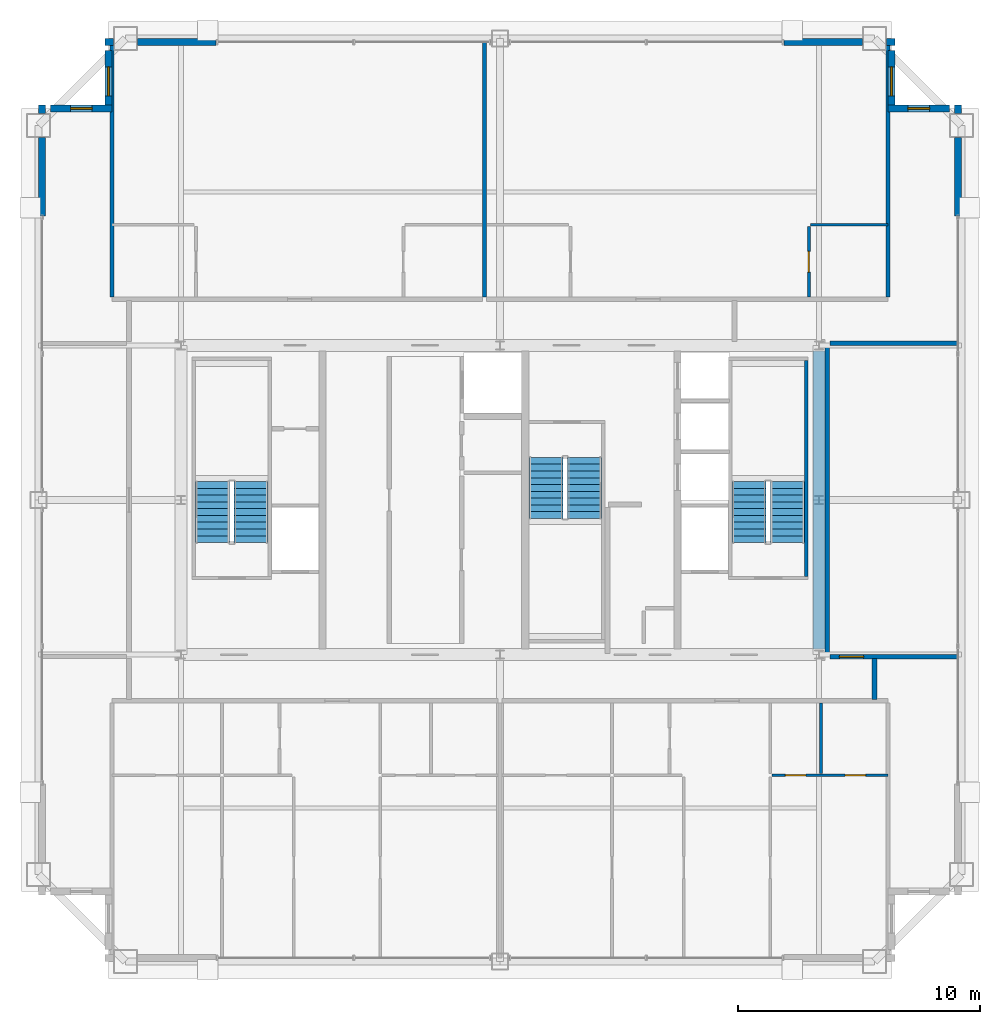
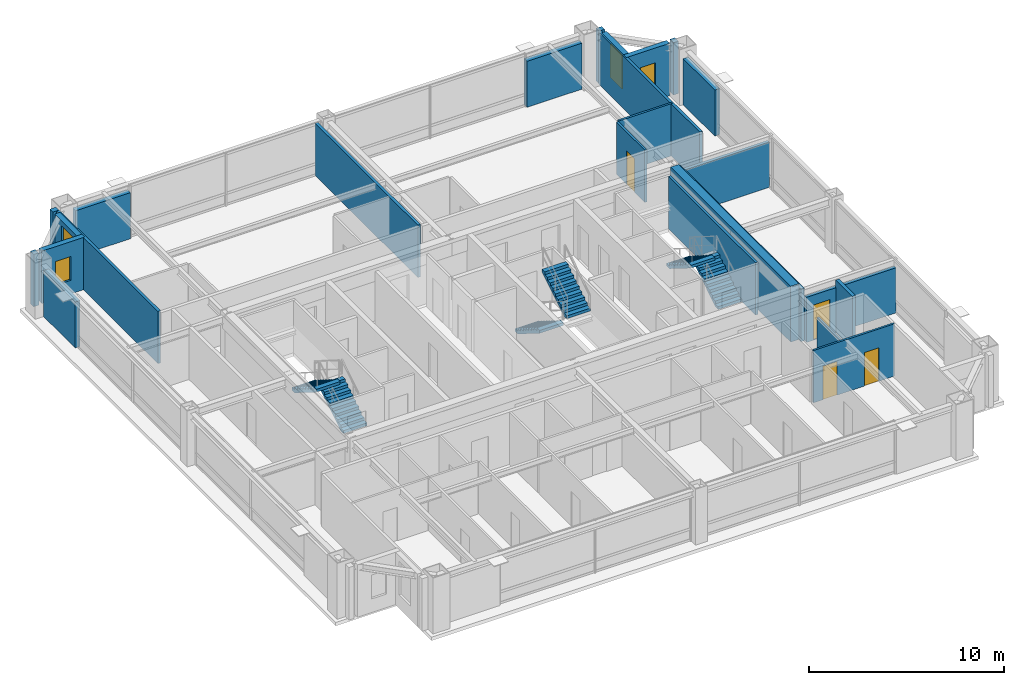
# One storey, part 33 of 34: 25 walls, 6 stair flights, 4 doors, 4 windows, 8 openings, 3 elements without a shape of their own.
"""IFC4 building model written with IfcOpenShell, lengths in metres."""

from ifc_helpers import new_model, si_unit, direction, frame, frame_2d, origin, place, context, subcontext, project, spatial, polyline, rectangle, outline, extrude, source, transform, mapped, material, layer, layer_set, type_object, element, fill, aggregate, save


model = new_model("IFC4")

# Units and contexts
model_context = context("Model", 3, precision=1e-05, world=origin(), true_north=direction((0.0, 1.0)))
body_context = subcontext(model_context, "Body", "Model", "MODEL_VIEW")
ifc_project = project(units=[si_unit("LENGTHUNIT", "METRE"), si_unit("AREAUNIT", "SQUARE_METRE"), si_unit("VOLUMEUNIT", "CUBIC_METRE"), si_unit("PLANEANGLEUNIT", "RADIAN"), si_unit("MASSUNIT", "GRAM", prefix="KILO"), si_unit("THERMODYNAMICTEMPERATUREUNIT", "KELVIN"), si_unit("POWERUNIT", "WATT")], contexts=[model_context])

# Site, building, storey
site_placement = place(None, origin())
site = spatial("IfcSite", under=ifc_project, at=site_placement, CompositionType="ELEMENT")
building_placement = place(site_placement, origin())
building = spatial("IfcBuilding", under=site, at=building_placement, Name="Yuzanri Waterfront Tower", CompositionType="ELEMENT")
storey_placement = place(building_placement, frame((0.0, 0.0, 325.199951171875)))
storey = spatial("IfcBuildingStorey", under=building, at=storey_placement, Name="L87", CompositionType="ELEMENT", Elevation=325.199951171875)

# Wall, openings, doors
ifc_material_1 = material(Name="Moisture-Resistant Gypsum Stud Wall", Category="gypsum")
ifc_layer_1 = layer(ifc_material_1, 0.1201171875)
ifc_layer_set_1 = layer_set([ifc_layer_1], Name="Moisture-Resistant Gypsum Stud Wall")
wall_type_1 = type_object("IfcWallType", Name="Bathroom and Kitchen Wet Partition 120", PredefinedType="PARTITIONING", material=ifc_layer_set_1)
wall_1_placement = place(storey_placement, frame((48.26611328125, 14.409912109375, 0.0), z_axis=(0.0, 0.0, 1.0), x_axis=(1.0, 0.0, 0.0)))
wall_1 = element("IfcWall", 1, at=wall_1_placement, inside=storey, type_object=wall_type_1, Name="L87 Partition UW-L87-HS2-SUB-6-N", PredefinedType="PARTITIONING", context=body_context, shape_type="SweptSolid", body=[
    extrude(rectangle(XDim=4.7939453125, YDim=0.1201171875, at=frame_2d((2.39697265625, 0.0))), origin(), (0.0, 0.0, 1.0), 3.280029296875),
])
opening_1_placement = place(wall_1_placement, frame((3.01904296875, 0.0, 0.0)))
opening_1 = element("IfcOpeningElement", 2, at=opening_1_placement, cuts=wall_1, Name="Opening ID-0850", PredefinedType="OPENING", context=body_context, shape_type="SweptSolid", body=[
    extrude(rectangle(XDim=0.85009765625, YDim=2.10009765625, at=frame_2d((0.425048828125, 1.050048828125))), frame((0.0, 0.074951171875, 0.0), z_axis=(0.0, -1.0, 0.0), x_axis=(1.0, 0.0, 0.0)), (0.0, 0.0, 1.0), 0.14990234375),
])
opening_2_placement = place(wall_1_placement, frame((0.5419921875, 0.0, 0.0)))
opening_2 = element("IfcOpeningElement", 3, at=opening_2_placement, cuts=wall_1, Name="Opening ID-0850", PredefinedType="OPENING", context=body_context, shape_type="SweptSolid", body=[
    extrude(rectangle(XDim=0.85009765625, YDim=2.10009765625, at=frame_2d((0.425048828125, 1.050048828125))), frame((0.0, 0.074951171875, 0.0), z_axis=(0.0, -1.0, 0.0), x_axis=(1.0, 0.0, 0.0)), (0.0, 0.0, 1.0), 0.14990234375),
])
ifc_material_2 = material(Name="Moisture-Resistant Lacquered Timber", Category="wood")
door_type_1 = type_object("IfcDoorType", Name="En-Suite Bathroom and Kitchen Swing Door 850x2100", OperationType="NOTDEFINED", PredefinedType="DOOR", material=ifc_material_2)
shared_shape_1 = source(origin(), body_context, "Body", "SweptSolid", [
    extrude(rectangle(XDim=0.85009765625, YDim=2.10009765625, at=frame_2d((0.425048828125, 1.050048828125))), frame((0.0, 0.02490234375, 0.0), z_axis=(0.0, -1.0, 0.0), x_axis=(1.0, 0.0, 0.0)), (0.0, 0.0, 1.0), 0.050048828125),
])
door_1_placement = place(opening_1_placement, origin())
door_1 = element("IfcDoor", 4, at=door_1_placement, inside=storey, type_object=door_type_1, Name="L87 Suite Interior Room Door", OperationType="SINGLE_SWING_LEFT", OverallHeight=2.10009765625, OverallWidth=0.85009765625, PredefinedType="DOOR", context=body_context, shape_type="MappedRepresentation", body=[
    mapped(shared_shape_1, transform((0.0, 0.0, 0.0), scale=1.0)),
])
fill(opening_1, door_1)
door_2_placement = place(opening_2_placement, origin())
door_2 = element("IfcDoor", 5, at=door_2_placement, inside=storey, type_object=door_type_1, Name="L87 Suite Interior Room Door", OperationType="SINGLE_SWING_RIGHT", OverallHeight=2.10009765625, OverallWidth=0.85009765625, PredefinedType="DOOR", context=body_context, shape_type="MappedRepresentation", body=[
    mapped(shared_shape_1, transform((0.0, 0.0, 0.0), scale=1.0)),
])
fill(opening_2, door_2)

# Wall, opening, door
wall_2_placement = place(storey_placement, frame((49.780029296875, 34.2099609375, 0.0), z_axis=(0.0, 0.0, 1.0), x_axis=(0.0, 1.0, 0.0)))
wall_2 = element("IfcWall", 6, at=wall_2_placement, inside=storey, type_object=wall_type_1, Name="L87 Partition UW-L87-HN2-SUB-2-W", PredefinedType="PARTITIONING", context=body_context, shape_type="SweptSolid", body=[
    extrude(rectangle(XDim=2.900146484375, YDim=0.1201171875, at=frame_2d((1.4501953125, 0.0))), origin(), (0.0, 0.0, 1.0), 3.280029296875),
])
opening_3_placement = place(wall_2_placement, frame((1.02490234375, 0.0, 0.0)))
opening_3 = element("IfcOpeningElement", 7, at=opening_3_placement, cuts=wall_2, Name="Opening ID-0850", PredefinedType="OPENING", context=body_context, shape_type="SweptSolid", body=[
    extrude(rectangle(XDim=0.85009765625, YDim=2.10009765625, at=frame_2d((0.425048828125, 1.050048828125))), frame((0.0, 0.074951171875, 0.0), z_axis=(0.0, -1.0, 0.0), x_axis=(1.0, 0.0, 0.0)), (0.0, 0.0, 1.0), 0.14990234375),
])
door_3_placement = place(opening_3_placement, origin())
door_3 = element("IfcDoor", 8, at=door_3_placement, inside=storey, type_object=door_type_1, Name="L87 Suite Interior Room Door", OperationType="SINGLE_SWING_LEFT", OverallHeight=2.10009765625, OverallWidth=0.85009765625, PredefinedType="DOOR", context=body_context, shape_type="MappedRepresentation", body=[
    mapped(shared_shape_1, transform((0.0, 0.0, 0.0), scale=1.0)),
])
fill(opening_3, door_3)

# Wall, opening, window
ifc_material_3 = material(Name="Honed Chongqing Dark Basalt Stone", Category="masonry")
ifc_layer_2 = layer(ifc_material_3, 0.300048828125)
ifc_layer_set_2 = layer_set([ifc_layer_2], Name="Honed Chongqing Dark Basalt Stone")
wall_type_2 = type_object("IfcWallType", Name="Bronze Rainscreen Insulated Spandrel Portal Wall 300", PredefinedType="SOLIDWALL", material=ifc_layer_set_2)
wall_3_placement = place(storey_placement, frame((20.949951171875, 42.0, 0.0), z_axis=(0.0, 0.0, 1.0), x_axis=(-1.0, 0.0, 0.0)))
wall_3 = element("IfcWall", 9, at=wall_3_placement, inside=storey, type_object=wall_type_2, Name="L87 Notched Corner Masonry Wall NW-X", PredefinedType="SOLIDWALL", context=body_context, shape_type="SweptSolid", body=[
    extrude(rectangle(XDim=2.550048828125, YDim=0.300048828125, at=frame_2d((1.27490234375, 0.0))), origin(), (0.0, 0.0, 1.0), 3.280029296875),
])
opening_4_placement = place(wall_3_placement, frame((0.824951171875, 0.0, 0.85009765625)))
opening_4 = element("IfcOpeningElement", 10, at=opening_4_placement, cuts=wall_3, Name="Opening WN-05", PredefinedType="OPENING", context=body_context, shape_type="SweptSolid", body=[
    extrude(rectangle(XDim=0.89990234375, YDim=1.5, at=frame_2d((0.449951171875, 0.75))), frame((0.0, 0.1650390625, 0.0), z_axis=(0.0, -1.0, 0.0), x_axis=(1.0, 0.0, 0.0)), (0.0, 0.0, 1.0), 0.329833984375),
])
ifc_material_4 = material(Name="Double-Silver Low-E Insulated Glass", Category="glass")
window_type_1 = type_object("IfcWindowType", Name="Anodized Bronze Service and Stairwell Smoke-Vent Window 900x1500", PartitioningType="SINGLE_PANEL", PredefinedType="WINDOW", material=ifc_material_4)
shared_shape_2 = source(origin(), body_context, "Body", "SweptSolid", [
    extrude(rectangle(XDim=0.89990234375, YDim=1.5, at=frame_2d((0.449951171875, 0.75))), frame((0.0, 0.030029296875, 0.0), z_axis=(0.0, -1.0, 0.0), x_axis=(1.0, 0.0, 0.0)), (0.0, 0.0, 1.0), 0.06005859375),
])
window_1_placement = place(opening_4_placement, origin())
window_1 = element("IfcWindow", 11, at=window_1_placement, inside=storey, type_object=window_type_1, Name="L87 Notched Corner Window NW-X", OverallHeight=1.5, OverallWidth=0.89990234375, PartitioningType="SINGLE_PANEL", PredefinedType="WINDOW", context=body_context, shape_type="MappedRepresentation", body=[
    mapped(shared_shape_2, transform((0.0, 0.0, 0.0), scale=1.0)),
])
fill(opening_4, window_1)

wall_4_placement = place(storey_placement, frame((20.800048828125, 44.39990234375, 0.0), z_axis=(0.0, 0.0, 1.0), x_axis=(0.0, -1.0, 0.0)))
wall_4 = element("IfcWall", 12, at=wall_4_placement, inside=storey, type_object=wall_type_2, Name="L87 Notched Corner Masonry Wall NW-Y", PredefinedType="SOLIDWALL", context=body_context, shape_type="SweptSolid", body=[
    extrude(rectangle(XDim=2.5498046875, YDim=0.300048828125, at=frame_2d((1.27490234375, 0.0))), origin(), (0.0, 0.0, 1.0), 3.280029296875),
])
opening_5_placement = place(wall_4_placement, frame((0.675048828125, 0.0, 0.85009765625)))
opening_5 = element("IfcOpeningElement", 13, at=opening_5_placement, cuts=wall_4, Name="Opening WN-02", PredefinedType="OPENING", context=body_context, shape_type="SweptSolid", body=[
    extrude(rectangle(XDim=1.199951171875, YDim=2.10009765625, at=frame_2d((0.60009765625, 1.050048828125))), frame((0.0, 0.1650390625, 0.0), z_axis=(0.0, -1.0, 0.0), x_axis=(1.0, 0.0, 0.0)), (0.0, 0.0, 1.0), 0.329833984375),
])
ifc_material_5 = material(Name="Double-Silver Low-E Insulated Glass", Category="glass")
window_type_2 = type_object("IfcWindowType", Name="Anodized Bronze Notched Corner Deep-Set Slot Window 1200x2100", PartitioningType="SINGLE_PANEL", PredefinedType="WINDOW", material=ifc_material_5)
shared_shape_3 = source(origin(), body_context, "Body", "SweptSolid", [
    extrude(rectangle(XDim=1.199951171875, YDim=2.10009765625, at=frame_2d((0.60009765625, 1.050048828125))), frame((0.0, 0.030029296875, 0.0), z_axis=(0.0, -1.0, 0.0), x_axis=(1.0, 0.0, 0.0)), (0.0, 0.0, 1.0), 0.06005859375),
])
window_2_placement = place(opening_5_placement, origin())
window_2 = element("IfcWindow", 14, at=window_2_placement, inside=storey, type_object=window_type_2, Name="L87 Notched Corner Window NW-Y", OverallHeight=2.10009765625, OverallWidth=1.199951171875, PartitioningType="SINGLE_PANEL", PredefinedType="WINDOW", context=body_context, shape_type="MappedRepresentation", body=[
    mapped(shared_shape_3, transform((0.0, 0.0, 0.0), scale=1.0)),
])
fill(opening_5, window_2)

wall_5_placement = place(storey_placement, frame((55.60009765625, 42.0, 0.0), z_axis=(0.0, 0.0, 1.0), x_axis=(-1.0, 0.0, 0.0)))
wall_5 = element("IfcWall", 15, at=wall_5_placement, inside=storey, type_object=wall_type_2, Name="L87 Notched Corner Masonry Wall NE-X", PredefinedType="SOLIDWALL", context=body_context, shape_type="SweptSolid", body=[
    extrude(rectangle(XDim=2.550048828125, YDim=0.300048828125, at=frame_2d((1.27490234375, 0.0))), origin(), (0.0, 0.0, 1.0), 3.280029296875),
])
opening_6_placement = place(wall_5_placement, frame((0.824951171875, 0.0, 0.85009765625)))
opening_6 = element("IfcOpeningElement", 16, at=opening_6_placement, cuts=wall_5, Name="Opening WN-05", PredefinedType="OPENING", context=body_context, shape_type="SweptSolid", body=[
    extrude(rectangle(XDim=0.89990234375, YDim=1.5, at=frame_2d((0.449951171875, 0.75))), frame((0.0, 0.1650390625, 0.0), z_axis=(0.0, -1.0, 0.0), x_axis=(1.0, 0.0, 0.0)), (0.0, 0.0, 1.0), 0.329833984375),
])
window_3_placement = place(opening_6_placement, origin())
window_3 = element("IfcWindow", 17, at=window_3_placement, inside=storey, type_object=window_type_1, Name="L87 Notched Corner Window NE-X", OverallHeight=1.5, OverallWidth=0.89990234375, PartitioningType="SINGLE_PANEL", PredefinedType="WINDOW", context=body_context, shape_type="MappedRepresentation", body=[
    mapped(shared_shape_2, transform((0.0, 0.0, 0.0), scale=1.0)),
])
fill(opening_6, window_3)

wall_6_placement = place(storey_placement, frame((53.199951171875, 41.85009765625, 0.0), z_axis=(0.0, 0.0, 1.0), x_axis=(0.0, 1.0, 0.0)))
wall_6 = element("IfcWall", 18, at=wall_6_placement, inside=storey, type_object=wall_type_2, Name="L87 Notched Corner Masonry Wall NE-Y", PredefinedType="SOLIDWALL", context=body_context, shape_type="SweptSolid", body=[
    extrude(rectangle(XDim=2.5498046875, YDim=0.300048828125, at=frame_2d((1.27490234375, 0.0))), origin(), (0.0, 0.0, 1.0), 3.280029296875),
])
opening_7_placement = place(wall_6_placement, frame((0.675048828125, 0.0, 0.85009765625)))
opening_7 = element("IfcOpeningElement", 19, at=opening_7_placement, cuts=wall_6, Name="Opening WN-02", PredefinedType="OPENING", context=body_context, shape_type="SweptSolid", body=[
    extrude(rectangle(XDim=1.199951171875, YDim=2.10009765625, at=frame_2d((0.60009765625, 1.050048828125))), frame((0.0, 0.1650390625, 0.0), z_axis=(0.0, -1.0, 0.0), x_axis=(1.0, 0.0, 0.0)), (0.0, 0.0, 1.0), 0.329833984375),
])
window_4_placement = place(opening_7_placement, origin())
window_4 = element("IfcWindow", 20, at=window_4_placement, inside=storey, type_object=window_type_2, Name="L87 Notched Corner Window NE-Y", OverallHeight=2.10009765625, OverallWidth=1.199951171875, PartitioningType="SINGLE_PANEL", PredefinedType="WINDOW", context=body_context, shape_type="MappedRepresentation", body=[
    mapped(shared_shape_3, transform((0.0, 0.0, 0.0), scale=1.0)),
])
fill(opening_7, window_4)

# Wall, opening, door
ifc_material_6 = material(Name="Autoclaved Aerated Concrete Blockwork", Category="masonry")
ifc_layer_3 = layer(ifc_material_6, 0.199951171875)
ifc_layer_set_3 = layer_set([ifc_layer_3], Name="Autoclaved Aerated Concrete Blockwork")
wall_type_3 = type_object("IfcWallType", Name="Corridor and Unit Party Fire Wall 200", PredefinedType="PARTITIONING", material=ifc_layer_set_3)
wall_7_placement = place(storey_placement, frame((50.64990234375, 19.31005859375, 0.0), z_axis=(0.0, 0.0, 1.0), x_axis=(1.0, 0.0, 0.0)))
wall_7 = element("IfcWall", 21, at=wall_7_placement, inside=storey, type_object=wall_type_3, Name="L87 Partition UW-L87-042-CS", PredefinedType="PARTITIONING", context=body_context, shape_type="SweptSolid", body=[
    extrude(rectangle(XDim=5.300048828125, YDim=0.199951171875, at=frame_2d((2.64990234375, 0.0))), origin(), (0.0, 0.0, 1.0), 2.824951171875),
])
opening_8_placement = place(wall_7_placement, frame((0.39990234375, 0.0, 0.0)))
opening_8 = element("IfcOpeningElement", 22, at=opening_8_placement, cuts=wall_7, Name="Opening FD-1000", PredefinedType="OPENING", context=body_context, shape_type="SweptSolid", body=[
    extrude(rectangle(XDim=1.0, YDim=2.199951171875, at=frame_2d((0.5, 1.10009765625))), frame((0.0, 0.11474609375, 0.0), z_axis=(0.0, -1.0, 0.0), x_axis=(1.0, 0.0, 0.0)), (0.0, 0.0, 1.0), 0.229736328125),
])
ifc_material_7 = material(Name="Engineered Oak Fire-Rated Timber", Category="wood")
door_type_2 = type_object("IfcDoorType", Name="Guestroom and Apartment Entrance Fire Door 1000x2200", OperationType="NOTDEFINED", PredefinedType="DOOR", material=ifc_material_7)
shared_shape_4 = source(origin(), body_context, "Body", "SweptSolid", [
    extrude(rectangle(XDim=1.0, YDim=2.199951171875, at=frame_2d((0.5, 1.10009765625))), frame((0.0, 0.02490234375, 0.0), z_axis=(0.0, -1.0, 0.0), x_axis=(1.0, 0.0, 0.0)), (0.0, 0.0, 1.0), 0.050048828125),
])
door_4_placement = place(opening_8_placement, origin())
door_4 = element("IfcDoor", 23, at=door_4_placement, inside=storey, type_object=door_type_2, Name="L87 High-Rise E Boardroom Meeting Room Entrance Door", OperationType="SINGLE_SWING_LEFT", OverallHeight=2.199951171875, OverallWidth=1.0, PredefinedType="DOOR", context=body_context, shape_type="MappedRepresentation", body=[
    mapped(shared_shape_4, transform((0.0, 0.0, 0.0), scale=1.0)),
])
fill(opening_8, door_4)

# Walls
ifc_material_8 = material(Name="Concrete C45", Category="concrete")
ifc_layer_4 = layer(ifc_material_8, 0.47998046875)
ifc_layer_set_4 = layer_set([ifc_layer_4], Name="Concrete C45")
wall_type_4 = type_object("IfcWallType", Name="Concrete C45 High-Rise Core Shear Wall 480", PredefinedType="SHEAR", material=ifc_layer_set_4)
shared_shape_5 = source(origin(), body_context, "Body", "SweptSolid", [
    extrude(rectangle(XDim=12.320068359375, YDim=0.47998046875, at=frame_2d((6.16015625, 0.0))), origin(), (0.0, 0.0, 1.0), 3.5),
])
wall_8_placement = place(storey_placement, frame((50.199951171875, 19.639892578125, 0.0), z_axis=(0.0, 0.0, 1.0), x_axis=(0.0, 1.0, 0.0)))
element("IfcWall", 24, at=wall_8_placement, inside=storey, type_object=wall_type_4, Name="L87 Core East Shear Wall", PredefinedType="SHEAR", context=body_context, shape_type="MappedRepresentation", body=[
    mapped(shared_shape_5, transform((0.0, 0.0, 0.0), scale=1.0)),
])
shared_shape_6 = source(origin(), body_context, "Body", "SweptSolid", [
    extrude(rectangle(XDim=3.25, YDim=0.300048828125, at=frame_2d((1.625, 0.0))), origin(), (0.0, 0.0, 1.0), 2.885009765625),
])
for number, where, z_axis, x_axis, name in (
    (25, (22.0, 44.75, 0.0), (0.0, 0.0, 1.0), (1.0, 0.0, 0.0), "L87 N Left Braced Masonry Shoulder"),
    (26, (48.75, 44.75, 0.0), (0.0, 0.0, 1.0), (1.0, 0.0, 0.0), "L87 N Right Braced Masonry Shoulder"),
    (27, (18.050048828125, 37.550048828125, 0.0), (0.0, 0.0, 1.0), (0.0, 1.0, 0.0), "L87 W Right Braced Masonry Shoulder"),
    (28, (55.949951171875, 37.550048828125, 0.0), (0.0, 0.0, 1.0), (0.0, 1.0, 0.0), "L87 E Right Braced Masonry Shoulder"),
):
    element("IfcWall", number, at=place(storey_placement, frame(where, z_axis=z_axis, x_axis=x_axis)), inside=storey, type_object=wall_type_2, Name=name, PredefinedType="SOLIDWALL", context=body_context, shape_type="MappedRepresentation", body=[
        mapped(shared_shape_6, transform((0.0, 0.0, 0.0), scale=1.0)),
    ])
shared_shape_7 = source(origin(), body_context, "Body", "SweptSolid", [
    extrude(rectangle(XDim=0.35009765625, YDim=0.300048828125, at=frame_2d((0.175048828125, 0.0))), origin(), (0.0, 0.0, 1.0), 3.280029296875),
])
for number, where, z_axis, x_axis, name in (
    (29, (20.64990234375, 44.75, 0.0), (0.0, 0.0, 1.0), (1.0, 0.0, 0.0), "L87 Corner Column Shoulder Return CNW"),
    (30, (53.0, 44.75, 0.0), (0.0, 0.0, 1.0), (1.0, 0.0, 0.0), "L87 Corner Column Shoulder Return CNE"),
):
    element("IfcWall", number, at=place(storey_placement, frame(where, z_axis=z_axis, x_axis=x_axis)), inside=storey, type_object=wall_type_2, Name=name, PredefinedType="SOLIDWALL", context=body_context, shape_type="MappedRepresentation", body=[
        mapped(shared_shape_7, transform((0.0, 0.0, 0.0), scale=1.0)),
    ])
shared_shape_8 = source(origin(), body_context, "Body", "SweptSolid", [
    extrude(rectangle(XDim=0.349853515625, YDim=0.300048828125, at=frame_2d((0.1748046875, 0.0))), origin(), (0.0, 0.0, 1.0), 3.280029296875),
])
for number, where, z_axis, x_axis, name in (
    (31, (18.050048828125, 41.800048828125, 0.0), (0.0, 0.0, 1.0), (0.0, 1.0, 0.0), "L87 Corner Column Shoulder Return CWN"),
    (32, (55.949951171875, 41.800048828125, 0.0), (0.0, 0.0, 1.0), (0.0, 1.0, 0.0), "L87 Corner Column Shoulder Return CEN"),
):
    element("IfcWall", number, at=place(storey_placement, frame(where, z_axis=z_axis, x_axis=x_axis)), inside=storey, type_object=wall_type_2, Name=name, PredefinedType="SOLIDWALL", context=body_context, shape_type="MappedRepresentation", body=[
        mapped(shared_shape_8, transform((0.0, 0.0, 0.0), scale=1.0)),
    ])
ifc_material_9 = material(Name="Concrete C40", Category="concrete")
ifc_layer_5 = layer(ifc_material_9, 0.139892578125)
ifc_layer_set_5 = layer_set([ifc_layer_5], Name="Concrete C40")
wall_type_5 = type_object("IfcWallType", Name="Core Stair Liner and Hoistway Shaft Wall 140", PredefinedType="SOLIDWALL", material=ifc_layer_set_5)
shared_shape_9 = source(origin(), body_context, "Body", "SweptSolid", [
    extrude(rectangle(XDim=8.940185546875, YDim=0.139892578125, at=frame_2d((4.47021484375, 0.0))), origin(), (0.0, 0.0, 1.0), 3.280029296875),
])
wall_9_placement = place(storey_placement, frame((49.669921875, 22.639892578125, 0.0), z_axis=(0.0, 0.0, 1.0), x_axis=(0.0, 1.0, 0.0)))
element("IfcWall", 33, at=wall_9_placement, inside=storey, type_object=wall_type_5, Name="L87 Stair ST-02 East Shaft Wall", PredefinedType="SOLIDWALL", context=body_context, shape_type="MappedRepresentation", body=[
    mapped(shared_shape_9, transform((0.0, 0.0, 0.0), scale=1.0)),
])
shared_shape_10 = source(origin(), body_context, "Body", "SweptSolid", [
    extrude(rectangle(XDim=3.199951171875, YDim=0.1201171875, at=frame_2d((1.60009765625, 0.0))), origin(), (0.0, 0.0, 1.0), 3.280029296875),
])
wall_10_placement = place(storey_placement, frame((49.860107421875, 37.18994140625, 0.0), z_axis=(0.0, 0.0, 1.0), x_axis=(1.0, 0.0, 0.0)))
element("IfcWall", 34, at=wall_10_placement, inside=storey, type_object=wall_type_1, Name="L87 Partition UW-L87-HN2-SUB-2-N", PredefinedType="PARTITIONING", context=body_context, shape_type="MappedRepresentation", body=[
    mapped(shared_shape_10, transform((0.0, 0.0, 0.0), scale=1.0)),
])
shared_shape_11 = source(origin(), body_context, "Body", "SweptSolid", [
    extrude(rectangle(XDim=12.780029296875, YDim=0.199951171875, at=frame_2d((6.39013671875, 0.0))), origin(), (0.0, 0.0, 1.0), 3.280029296875),
])
wall_11_placement = place(storey_placement, frame((50.544921875, 19.409912109375, 0.0), z_axis=(0.0, 0.0, 1.0), x_axis=(0.0, 1.0, 0.0)))
element("IfcWall", 35, at=wall_11_placement, inside=storey, type_object=wall_type_3, Name="L87-042 Wing Inner Core-Side Wall", PredefinedType="PARTITIONING", context=body_context, shape_type="MappedRepresentation", body=[
    mapped(shared_shape_11, transform((0.0, 0.0, 0.0), scale=1.0)),
])
shared_shape_12 = source(origin(), body_context, "Body", "SweptSolid", [
    extrude(rectangle(XDim=5.300048828125, YDim=0.199951171875, at=frame_2d((2.64990234375, 0.0))), origin(), (0.0, 0.0, 1.0), 2.824951171875),
])
wall_12_placement = place(storey_placement, frame((50.64990234375, 32.2900390625, 0.0), z_axis=(0.0, 0.0, 1.0), x_axis=(1.0, 0.0, 0.0)))
element("IfcWall", 36, at=wall_12_placement, inside=storey, type_object=wall_type_3, Name="L87-042 Wing North Wall", PredefinedType="PARTITIONING", context=body_context, shape_type="MappedRepresentation", body=[
    mapped(shared_shape_12, transform((0.0, 0.0, 0.0), scale=1.0)),
])
shared_shape_13 = source(origin(), body_context, "Body", "SweptSolid", [
    extrude(rectangle(XDim=2.89990234375, YDim=0.1201171875, at=frame_2d((1.449951171875, 0.0))), origin(), (0.0, 0.0, 1.0), 2.824951171875),
])
wall_13_placement = place(storey_placement, frame((50.280029296875, 14.489990234375, 0.0), z_axis=(0.0, 0.0, 1.0), x_axis=(0.0, 1.0, 0.0)))
element("IfcWall", 37, at=wall_13_placement, inside=storey, type_object=wall_type_1, Name="L87 Partition UW-L87-HS2-SUB-3-W", PredefinedType="PARTITIONING", context=body_context, shape_type="MappedRepresentation", body=[
    mapped(shared_shape_13, transform((0.0, 0.0, 0.0), scale=1.0)),
])
shared_shape_14 = source(origin(), body_context, "Body", "SweptSolid", [
    extrude(rectangle(XDim=1.699951171875, YDim=0.199951171875, at=frame_2d((0.85009765625, 0.0))), origin(), (0.0, 0.0, 1.0), 3.280029296875),
])
wall_14_placement = place(storey_placement, frame((52.5, 17.550048828125, 0.0), z_axis=(0.0, 0.0, 1.0), x_axis=(0.0, 1.0, 0.0)))
element("IfcWall", 38, at=wall_14_placement, inside=storey, type_object=wall_type_3, Name="L87 South Foyer East End Wall", PredefinedType="PARTITIONING", context=body_context, shape_type="MappedRepresentation", body=[
    mapped(shared_shape_14, transform((0.0, 0.0, 0.0), scale=1.0)),
])
ifc_material_10 = material(Name="Gypsum Fireboard Acoustic Stud Wall", Category="gypsum")
ifc_layer_6 = layer(ifc_material_10, 0.159912109375)
ifc_layer_set_6 = layer_set([ifc_layer_6], Name="Gypsum Fireboard Acoustic Stud Wall")
wall_type_6 = type_object("IfcWallType", Name="Acoustic Suite Demising Partition 160", PredefinedType="PARTITIONING", material=ifc_layer_set_6)
shared_shape_15 = source(origin(), body_context, "Body", "SweptSolid", [
    extrude(rectangle(XDim=10.39013671875, YDim=0.159912109375, at=frame_2d((5.195068359375, 0.0))), origin(), (0.0, 0.0, 1.0), 3.280029296875),
])
for number, where, z_axis, x_axis, name in (
    (39, (20.949951171875, 34.2099609375, 0.0), (0.0, 0.0, 1.0), (0.0, 1.0, 0.0), "L87 North Band West End Wall"),
    (40, (53.050048828125, 34.2099609375, 0.0), (0.0, 0.0, 1.0), (0.0, 1.0, 0.0), "L87 North Band East End Wall"),
):
    element("IfcWall", number, at=place(storey_placement, frame(where, z_axis=z_axis, x_axis=x_axis)), inside=storey, type_object=wall_type_6, Name=name, PredefinedType="PARTITIONING", context=body_context, shape_type="MappedRepresentation", body=[
        mapped(shared_shape_15, transform((0.0, 0.0, 0.0), scale=1.0)),
    ])
shared_shape_16 = source(origin(), body_context, "Body", "SweptSolid", [
    extrude(rectangle(XDim=10.5400390625, YDim=0.159912109375, at=frame_2d((5.27001953125, 0.0))), origin(), (0.0, 0.0, 1.0), 3.280029296875),
])
wall_15_placement = place(storey_placement, frame((36.35791015625, 34.2099609375, 0.0), z_axis=(0.0, 0.0, 1.0), x_axis=(0.0, 1.0, 0.0)))
element("IfcWall", 41, at=wall_15_placement, inside=storey, type_object=wall_type_6, Name="L87-HN1 Party Wall", PredefinedType="PARTITIONING", context=body_context, shape_type="MappedRepresentation", body=[
    mapped(shared_shape_16, transform((0.0, 0.0, 0.0), scale=1.0)),
])

# Stair, stair flights
ifc_material_11 = material(Name="Concrete C40", Category="concrete")
stair_type = type_object("IfcStairType", Name="Concrete C40 Core Dogleg Exit Stair", PredefinedType="HALF_TURN_STAIR", material=ifc_material_11)
stair_1_placement = place(storey_placement, origin())
stair_1 = element("IfcStair", 42, at=stair_1_placement, inside=storey, type_object=stair_type, Name="L87 Smoke-Proof Core Stair ST-01", PredefinedType="HALF_TURN_STAIR")
ifc_material_12 = material(Name="Concrete C40", Category="concrete")
stair_flight_type = type_object("IfcStairFlightType", Name="Concrete C40 Precast Stair Flight 1380", PredefinedType="STRAIGHT", material=ifc_material_12)
shared_shape_17 = source(origin(), body_context, "Body", "SweptSolid", [
    extrude(outline(polyline([(0.0, 0.0), (0.0, 0.175048828125), (0.280029296875, 0.175048828125), (0.280029296875, 0.35009765625), (0.56005859375, 0.35009765625), (0.56005859375, 0.52490234375), (0.840087890625, 0.52490234375), (0.840087890625, 0.699951171875), (1.1201171875, 0.699951171875), (1.1201171875, 0.875), (1.39990234375, 0.875), (1.39990234375, 1.050048828125), (1.679931640625, 1.050048828125), (1.679931640625, 1.22509765625), (1.9599609375, 1.22509765625), (1.9599609375, 1.39990234375), (2.239990234375, 1.39990234375), (2.239990234375, 1.574951171875), (2.52001953125, 1.574951171875), (2.52001953125, 1.75), (2.52001953125, 1.398193359375), (0.28271484375, 0.0), (0.0, 0.0)])), frame((0.0, 0.699951171875, 0.0), z_axis=(0.0, -1.0, 0.0), x_axis=(1.0, 0.0, 0.0)), (0.0, 0.0, 1.0), 1.39990234375),
])
stair_flight_1_placement = place(storey_placement, frame((26.699951171875, 24.0400390625, 0.0), z_axis=(0.0, 0.0, 1.0), x_axis=(0.0, 1.0, 0.0)))
stair_flight_1 = element("IfcStairFlight", 43, at=stair_flight_1_placement, type_object=stair_flight_type, Name="ST-01 flight 1", NumberOfRisers=10, NumberOfTreads=9, PredefinedType="STRAIGHT", RiserHeight=0.175, TreadLength=0.28, context=body_context, shape_type="MappedRepresentation", body=[
    mapped(shared_shape_17, transform((0.0, 0.0, 0.0), scale=1.0)),
])
stair_flight_2_placement = place(storey_placement, frame((25.10009765625, 26.56005859375, 1.75), z_axis=(0.0, 0.0, 1.0), x_axis=(0.0, -1.0, 0.0)))
stair_flight_2 = element("IfcStairFlight", 44, at=stair_flight_2_placement, type_object=stair_flight_type, Name="ST-01 flight 2", NumberOfRisers=10, NumberOfTreads=9, PredefinedType="STRAIGHT", RiserHeight=0.175, TreadLength=0.28, context=body_context, shape_type="MappedRepresentation", body=[
    mapped(shared_shape_17, transform((0.0, 0.0, 0.0), scale=1.0)),
])
aggregate(stair_1, [stair_flight_1, stair_flight_2])

stair_2_placement = place(storey_placement, origin())
stair_2 = element("IfcStair", 45, at=stair_2_placement, inside=storey, type_object=stair_type, Name="L87 Smoke-Proof Core Stair ST-02", PredefinedType="HALF_TURN_STAIR")
stair_flight_3_placement = place(storey_placement, frame((48.89990234375, 24.0400390625, 0.0), z_axis=(0.0, 0.0, 1.0), x_axis=(0.0, 1.0, 0.0)))
stair_flight_3 = element("IfcStairFlight", 46, at=stair_flight_3_placement, type_object=stair_flight_type, Name="ST-02 flight 1", NumberOfRisers=10, NumberOfTreads=9, PredefinedType="STRAIGHT", RiserHeight=0.175, TreadLength=0.28, context=body_context, shape_type="MappedRepresentation", body=[
    mapped(shared_shape_17, transform((0.0, 0.0, 0.0), scale=1.0)),
])
stair_flight_4_placement = place(storey_placement, frame((47.300048828125, 26.56005859375, 1.75), z_axis=(0.0, 0.0, 1.0), x_axis=(0.0, -1.0, 0.0)))
stair_flight_4 = element("IfcStairFlight", 47, at=stair_flight_4_placement, type_object=stair_flight_type, Name="ST-02 flight 2", NumberOfRisers=10, NumberOfTreads=9, PredefinedType="STRAIGHT", RiserHeight=0.175, TreadLength=0.28, context=body_context, shape_type="MappedRepresentation", body=[
    mapped(shared_shape_17, transform((0.0, 0.0, 0.0), scale=1.0)),
])
aggregate(stair_2, [stair_flight_3, stair_flight_4])

stair_3_placement = place(storey_placement, origin())
stair_3 = element("IfcStair", 48, at=stair_3_placement, inside=storey, type_object=stair_type, Name="L87 Smoke-Proof Core Stair ST-03", PredefinedType="HALF_TURN_STAIR")
stair_flight_5_placement = place(storey_placement, frame((38.89990234375, 27.56005859375, 0.0), z_axis=(0.0, 0.0, 1.0), x_axis=(0.0, -1.0, 0.0)))
stair_flight_5 = element("IfcStairFlight", 49, at=stair_flight_5_placement, type_object=stair_flight_type, Name="ST-03 flight 1", NumberOfRisers=10, NumberOfTreads=9, PredefinedType="STRAIGHT", RiserHeight=0.175, TreadLength=0.28, context=body_context, shape_type="MappedRepresentation", body=[
    mapped(shared_shape_17, transform((0.0, 0.0, 0.0), scale=1.0)),
])
stair_flight_6_placement = place(storey_placement, frame((40.5, 25.0400390625, 1.75), z_axis=(0.0, 0.0, 1.0), x_axis=(0.0, 1.0, 0.0)))
stair_flight_6 = element("IfcStairFlight", 50, at=stair_flight_6_placement, type_object=stair_flight_type, Name="ST-03 flight 2", NumberOfRisers=10, NumberOfTreads=9, PredefinedType="STRAIGHT", RiserHeight=0.175, TreadLength=0.28, context=body_context, shape_type="MappedRepresentation", body=[
    mapped(shared_shape_17, transform((0.0, 0.0, 0.0), scale=1.0)),
])
aggregate(stair_3, [stair_flight_5, stair_flight_6])

save(model, "model.ifc")
